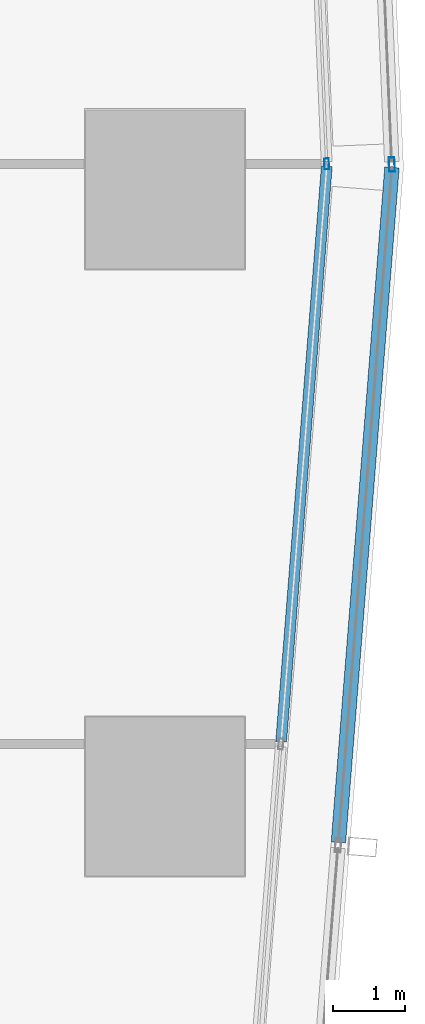
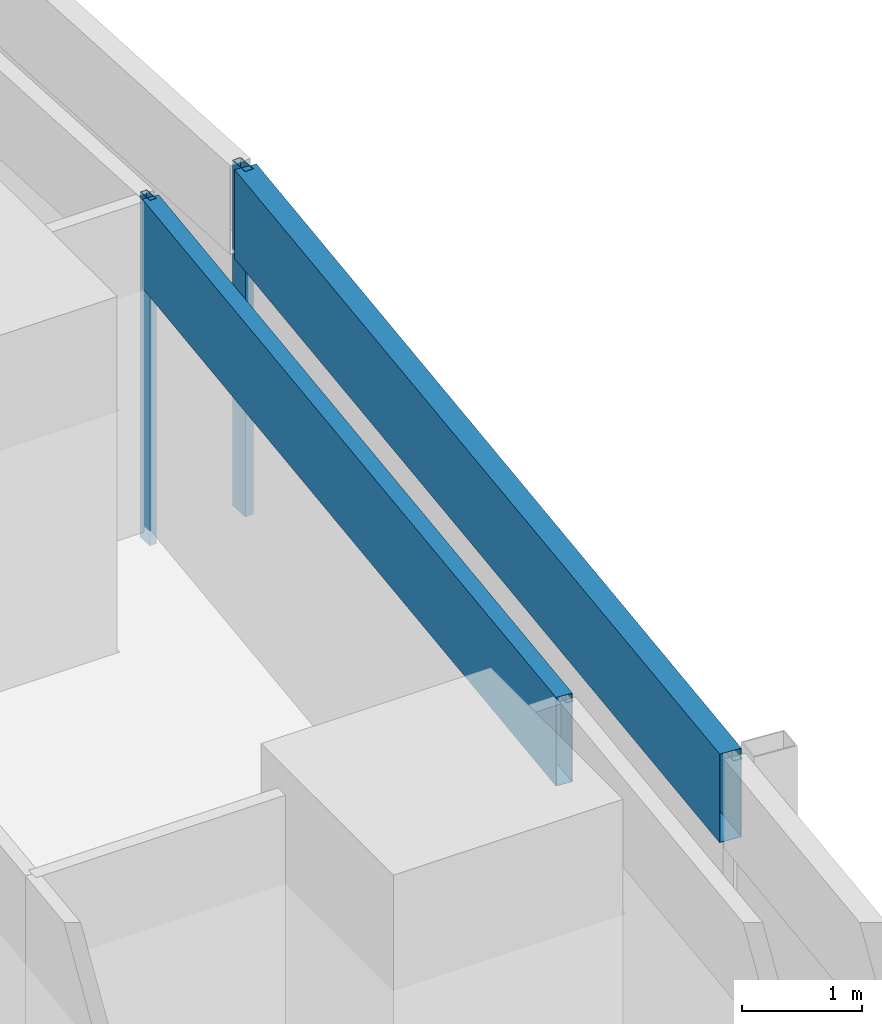
# One storey, part 26 of 44: 4 members, 4 elements without a shape of their own.
"""IFC4 building model written with IfcOpenShell, lengths in metres."""

from ifc_helpers import new_model, si_unit, direction, frame, origin, origin_2d, place, context, subcontext, project, spatial, hollow_rectangle, extrude, material, material_profile, profile_set, type_object, element, aggregate, save


model = new_model("IFC4")

# Units and contexts
model_context = context("Model", 3, precision=1e-05, world=origin(), true_north=direction((0.0, 1.0)))
body_context = subcontext(model_context, "Body", "Model", "MODEL_VIEW")
ifc_project = project(units=[si_unit("LENGTHUNIT", "METRE"), si_unit("AREAUNIT", "SQUARE_METRE"), si_unit("VOLUMEUNIT", "CUBIC_METRE"), si_unit("PLANEANGLEUNIT", "RADIAN"), si_unit("MASSUNIT", "GRAM", prefix="KILO")], contexts=[model_context])

# Site, building, storey
site_placement = place(None, origin())
site = spatial("IfcSite", under=ifc_project, at=site_placement, CompositionType="ELEMENT")
building_placement = place(site_placement, origin())
building = spatial("IfcBuilding", under=site, at=building_placement, Name="Rekha Terrace Tower", CompositionType="ELEMENT")
storey_placement = place(building_placement, frame((0.0, 0.0, 59.14990234375)))
storey = spatial("IfcBuildingStorey", under=building, at=storey_placement, Name="L14", CompositionType="ELEMENT", Elevation=59.14990234375)

# Curtain wall, member
ifc_material_1 = material(Name="Aluminium framing", Category="aluminium")
curtain_wall_type_1 = type_object("IfcCurtainWallType", Name="CW1 double skin inner glazing", PredefinedType="USERDEFINED", material=ifc_material_1)
curtain_wall_1_placement = place(storey_placement, origin())
curtain_wall_1 = element("IfcCurtainWall", 1, at=curtain_wall_1_placement, inside=storey, type_object=curtain_wall_type_1, Name="CW1 double skin inner glazing", ObjectType="DOUBLE SKIN INNER GLAZING", PredefinedType="USERDEFINED")
ifc_material_2 = material(Name="Aluminium mullion section", Category="aluminium")
ifc_material_profile_1 = material_profile(ifc_material_2, hollow_rectangle(XDim=0.06494140625, YDim=0.14990234375, WallThickness=0.00390625, at=origin_2d()), Name="AL RHS 65x150")
ifc_profile_set_1 = profile_set([ifc_material_profile_1], Name="Aluminium mullion section")
member_type_1 = type_object("IfcMemberType", Name="CW1 mullion RHS 65 x 150", PredefinedType="MULLION", material=ifc_profile_set_1)
member_1_placement = place(storey_placement, frame((69.436767578125, 25.5517578125, 0.0), z_axis=(0.0, 0.0, 1.0), x_axis=(-0.999088106904, -0.042696072921, 0.0)))
member_1 = element("IfcMember", 2, at=member_1_placement, type_object=member_type_1, Name="CW1 mullion 1", PredefinedType="MULLION", context=body_context, shape_type="SweptSolid", body=[
    extrude(hollow_rectangle(XDim=0.06494140625, YDim=0.14990234375, WallThickness=0.00390625, at=origin_2d()), origin(), (0.0, 0.0, 1.0), 3.5),
])
aggregate(curtain_wall_1, [member_1])

curtain_wall_2_placement = place(storey_placement, origin())
curtain_wall_2 = element("IfcCurtainWall", 3, at=curtain_wall_2_placement, inside=storey, type_object=curtain_wall_type_1, Name="CW1 double skin inner glazing", ObjectType="DOUBLE SKIN INNER GLAZING", PredefinedType="USERDEFINED")
ifc_material_3 = material(Name="Insulated aluminium spandrel box", Category="aluminium")
ifc_material_profile_2 = material_profile(ifc_material_3, hollow_rectangle(XDim=0.14990234375, YDim=0.89990234375, WallThickness=0.0029296875, at=origin_2d()), Name="AL SPANDREL BOX 150x900")
ifc_profile_set_2 = profile_set([ifc_material_profile_2], Name="Insulated aluminium spandrel box")
member_type_2 = type_object("IfcMemberType", Name="CW1 spandrel transom 150 x 900", PredefinedType="USERDEFINED", material=ifc_profile_set_2)
member_2_placement = place(storey_placement, frame((68.80615234375, 17.555908203125, 3.050048828125), z_axis=(0.07912449621, 0.996864742129, 0.0), x_axis=(-0.996864742129, 0.07912449621, 0.0)))
member_2 = element("IfcMember", 4, at=member_2_placement, type_object=member_type_2, Name="CW1 spandrel transom 2", ObjectType="TRANSOM", PredefinedType="USERDEFINED", context=body_context, shape_type="SweptSolid", body=[
    extrude(hollow_rectangle(XDim=0.14990234375, YDim=0.89990234375, WallThickness=0.0029296875, at=origin_2d()), origin(), (0.0, 0.0, 1.0), 7.988525390625),
])
aggregate(curtain_wall_2, [member_2])

curtain_wall_type_2 = type_object("IfcCurtainWallType", Name="CW2 double skin outer glazing", PredefinedType="USERDEFINED", material=ifc_material_1)
curtain_wall_3_placement = place(storey_placement, origin())
curtain_wall_3 = element("IfcCurtainWall", 5, at=curtain_wall_3_placement, inside=storey, type_object=curtain_wall_type_2, Name="CW2 double skin outer glazing", ObjectType="DOUBLE SKIN OUTER GLAZING", PredefinedType="USERDEFINED")
ifc_material_profile_3 = material_profile(ifc_material_2, hollow_rectangle(XDim=0.080078125, YDim=0.199951171875, WallThickness=0.00390625, at=origin_2d()), Name="AL RHS 80x200")
ifc_profile_set_3 = profile_set([ifc_material_profile_3], Name="Aluminium mullion section")
member_type_3 = type_object("IfcMemberType", Name="CW2 mullion RHS 80 x 200", PredefinedType="MULLION", material=ifc_profile_set_3)
member_3_placement = place(storey_placement, frame((70.338134765625, 25.54296875, 0.0), z_axis=(0.0, 0.0, 1.0), x_axis=(-0.999088106903, -0.042696072956, 0.0)))
member_3 = element("IfcMember", 6, at=member_3_placement, type_object=member_type_3, Name="CW2 mullion 1", PredefinedType="MULLION", context=body_context, shape_type="SweptSolid", body=[
    extrude(hollow_rectangle(XDim=0.080078125, YDim=0.199951171875, WallThickness=0.00390625, at=origin_2d()), origin(), (0.0, 0.0, 1.0), 3.5),
])
aggregate(curtain_wall_3, [member_3])

curtain_wall_4_placement = place(storey_placement, origin())
curtain_wall_4 = element("IfcCurtainWall", 7, at=curtain_wall_4_placement, inside=storey, type_object=curtain_wall_type_2, Name="CW2 double skin outer glazing", ObjectType="DOUBLE SKIN OUTER GLAZING", PredefinedType="USERDEFINED")
ifc_material_profile_4 = material_profile(ifc_material_3, hollow_rectangle(XDim=0.199951171875, YDim=0.89990234375, WallThickness=0.0029296875, at=origin_2d()), Name="AL SPANDREL BOX 200x900")
ifc_profile_set_4 = profile_set([ifc_material_profile_4], Name="Insulated aluminium spandrel box")
member_type_4 = type_object("IfcMemberType", Name="CW2 spandrel transom 200 x 900", PredefinedType="USERDEFINED", material=ifc_profile_set_4)
member_4_placement = place(storey_placement, frame((69.5986328125, 16.16552734375, 3.050048828125), z_axis=(0.079131924046, 0.996864152529, 0.0), x_axis=(-0.996864152529, 0.079131924046, 0.0)))
member_4 = element("IfcMember", 8, at=member_4_placement, type_object=member_type_4, Name="CW2 spandrel transom 2", ObjectType="TRANSOM", PredefinedType="USERDEFINED", context=body_context, shape_type="SweptSolid", body=[
    extrude(hollow_rectangle(XDim=0.199951171875, YDim=0.89990234375, WallThickness=0.0029296875, at=origin_2d()), origin(), (0.0, 0.0, 1.0), 9.36669921875),
])
aggregate(curtain_wall_4, [member_4])

save(model, "model.ifc")
